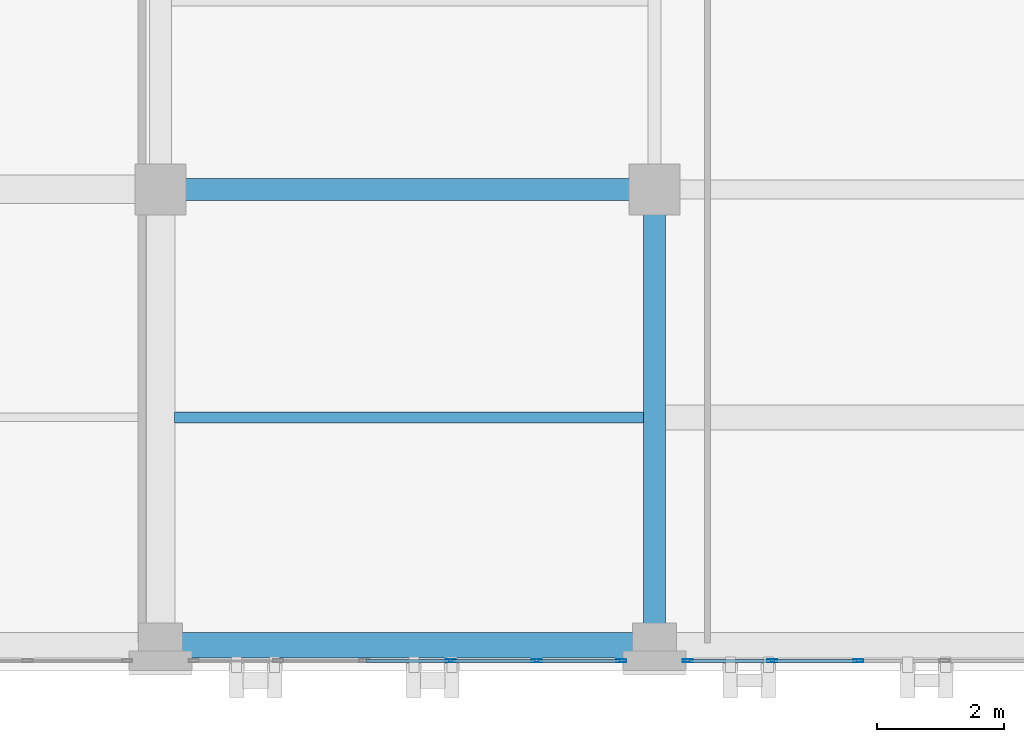
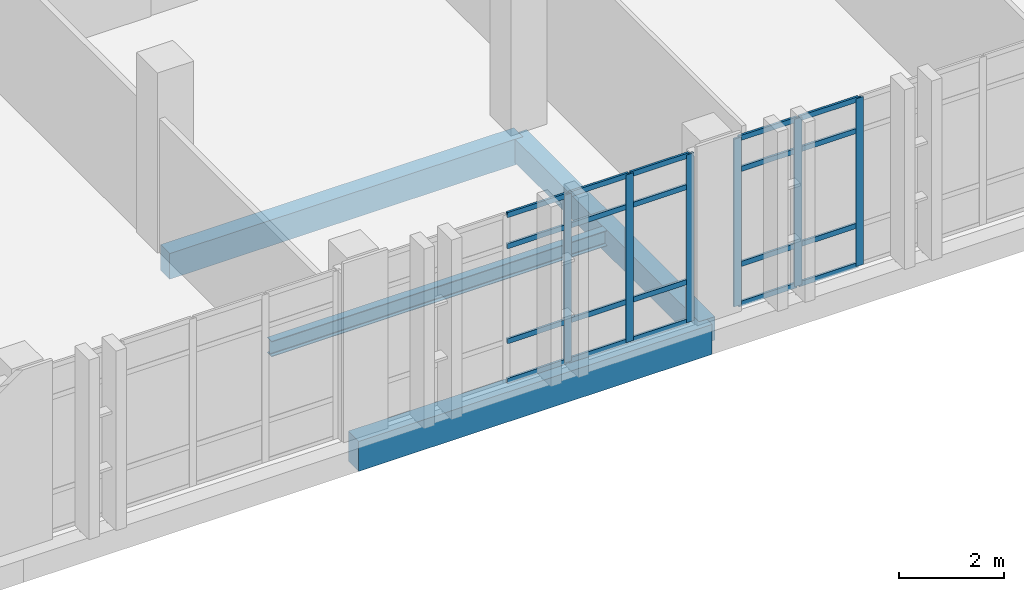
# One storey, part 116 of 193: 26 members, 4 beams, 2 elements without a shape of their own.
"""IFC4 building model written with IfcOpenShell, lengths in metres."""

from ifc_helpers import new_model, si_unit, direction, frame, origin, origin_2d, place, context, subcontext, project, spatial, rectangle, hollow_rectangle, i_section, extrude, material, layer, layer_set, material_profile, profile_set, type_object, element, aggregate, save


model = new_model("IFC4")

# Units and contexts
model_context = context("Model", 3, precision=1e-05, world=origin(), true_north=direction((0.0, 1.0)))
body_context = subcontext(model_context, "Body", "Model", "MODEL_VIEW")
ifc_project = project(units=[si_unit("LENGTHUNIT", "METRE"), si_unit("AREAUNIT", "SQUARE_METRE"), si_unit("VOLUMEUNIT", "CUBIC_METRE"), si_unit("PLANEANGLEUNIT", "RADIAN"), si_unit("MASSUNIT", "GRAM", prefix="KILO")], contexts=[model_context])

# Site, building, storey
site_placement = place(None, origin())
site = spatial("IfcSite", under=ifc_project, at=site_placement, CompositionType="ELEMENT")
building_placement = place(site_placement, origin())
building = spatial("IfcBuilding", under=site, at=building_placement, Name="Qalavern Law Courts", CompositionType="ELEMENT")
storey_placement = place(building_placement, frame((0.0, 0.0, 10.199951171875)))
storey = spatial("IfcBuildingStorey", under=building, at=storey_placement, Name="L02", CompositionType="ELEMENT", Elevation=10.199951171875)

# Curtain wall, members
ifc_material_1 = material(Name="Anodised aluminium and insulated glazing", Category="aluminium")
ifc_layer = layer(ifc_material_1, 0.172119140625)
ifc_layer_set = layer_set([ifc_layer], Name="Anodised aluminium and insulated glazing")
curtain_wall_type = type_object("IfcCurtainWallType", Name="ENV-CW-COURT", PredefinedType="USERDEFINED", material=ifc_layer_set)
curtain_wall_1_placement = place(storey_placement, origin())
curtain_wall_1 = element("IfcCurtainWall", 1, at=curtain_wall_1_placement, inside=storey, type_object=curtain_wall_type, Name="V6 unitised curtain wall L02 south 4", ObjectType="UNITISED CURTAIN WALL", PredefinedType="USERDEFINED")
ifc_material_2 = material(Name="Anodised aluminium", Category="aluminium")
ifc_material_profile_1 = material_profile(ifc_material_2, hollow_rectangle(XDim=0.048095703125, YDim=0.159912109375, WallThickness=0.00390625, at=origin_2d()), Name="ALU MULLION 48x160")
ifc_profile_set_1 = profile_set([ifc_material_profile_1], Name="Anodised aluminium")
member_type_1 = type_object("IfcMemberType", Name="ENV-CWM-48x160", PredefinedType="MULLION", material=ifc_profile_set_1)
member_1_placement = place(storey_placement, frame((138.780029296875, 1.155029296875, 0.0), z_axis=(0.0, 0.0, 1.0), x_axis=(0.0, 1.0, 0.0)))
member_1 = element("IfcMember", 2, at=member_1_placement, type_object=member_type_1, Name="CW-03 mullion 4", PredefinedType="MULLION", context=body_context, shape_type="SweptSolid", body=[
    extrude(hollow_rectangle(XDim=0.048095703125, YDim=0.159912109375, WallThickness=0.00390625, at=origin_2d()), origin(), (0.0, 0.0, 1.0), 3.9150390625),
])
member_2_placement = place(storey_placement, frame((140.139892578125, 1.155029296875, 0.0), z_axis=(0.0, 0.0, 1.0), x_axis=(0.0, 1.0, 0.0)))
member_2 = element("IfcMember", 3, at=member_2_placement, type_object=member_type_1, Name="CW-03 mullion 5", PredefinedType="MULLION", context=body_context, shape_type="SweptSolid", body=[
    extrude(hollow_rectangle(XDim=0.048095703125, YDim=0.159912109375, WallThickness=0.00390625, at=origin_2d()), origin(), (0.0, 0.0, 1.0), 3.9150390625),
])
member_3_placement = place(storey_placement, frame((141.47607421875, 1.155029296875, 0.0), z_axis=(0.0, 0.0, 1.0), x_axis=(0.0, 1.0, 0.0)))
member_3 = element("IfcMember", 4, at=member_3_placement, type_object=member_type_1, Name="CW-03 mullion 6", PredefinedType="MULLION", context=body_context, shape_type="SweptSolid", body=[
    extrude(hollow_rectangle(XDim=0.048095703125, YDim=0.159912109375, WallThickness=0.00390625, at=origin_2d()), origin(), (0.0, 0.0, 1.0), 3.9150390625),
])

curtain_wall_2_placement = place(storey_placement, origin())
curtain_wall_2 = element("IfcCurtainWall", 5, at=curtain_wall_2_placement, inside=storey, type_object=curtain_wall_type, Name="V6 unitised curtain wall L02 south 5", ObjectType="UNITISED CURTAIN WALL", PredefinedType="USERDEFINED")
member_4_placement = place(storey_placement, frame((142.52392578125, 1.155029296875, 0.0), z_axis=(0.0, 0.0, 1.0), x_axis=(0.0, 1.0, 0.0)))
member_4 = element("IfcMember", 6, at=member_4_placement, type_object=member_type_1, Name="CW-03 mullion 1", PredefinedType="MULLION", context=body_context, shape_type="SweptSolid", body=[
    extrude(hollow_rectangle(XDim=0.048095703125, YDim=0.159912109375, WallThickness=0.00390625, at=origin_2d()), origin(), (0.0, 0.0, 1.0), 3.9150390625),
])
member_5_placement = place(storey_placement, frame((143.860107421875, 1.155029296875, 0.0), z_axis=(0.0, 0.0, 1.0), x_axis=(0.0, 1.0, 0.0)))
member_5 = element("IfcMember", 7, at=member_5_placement, type_object=member_type_1, Name="CW-03 mullion 2", PredefinedType="MULLION", context=body_context, shape_type="SweptSolid", body=[
    extrude(hollow_rectangle(XDim=0.048095703125, YDim=0.159912109375, WallThickness=0.00390625, at=origin_2d()), origin(), (0.0, 0.0, 1.0), 3.9150390625),
])
member_6_placement = place(storey_placement, frame((145.219970703125, 1.155029296875, 0.0), z_axis=(0.0, 0.0, 1.0), x_axis=(0.0, 1.0, 0.0)))
member_6 = element("IfcMember", 8, at=member_6_placement, type_object=member_type_1, Name="CW-03 mullion 3", PredefinedType="MULLION", context=body_context, shape_type="SweptSolid", body=[
    extrude(hollow_rectangle(XDim=0.048095703125, YDim=0.159912109375, WallThickness=0.00390625, at=origin_2d()), origin(), (0.0, 0.0, 1.0), 3.9150390625),
])

# Member
ifc_material_profile_2 = material_profile(ifc_material_2, hollow_rectangle(XDim=0.048095703125, YDim=0.1201171875, WallThickness=0.00390625, at=origin_2d()), Name="ALU TRANSOM 48x120")
ifc_profile_set_2 = profile_set([ifc_material_profile_2], Name="Anodised aluminium")
member_type_2 = type_object("IfcMemberType", Name="ENV-CWT-48x120", PredefinedType="USERDEFINED", material=ifc_profile_set_2)
member_7_placement = place(storey_placement, frame((137.444091796875, 1.155029296875, 0.024169921875), z_axis=(1.0, 0.0, 0.0), x_axis=(0.0, 1.0, 0.0)))
member_7 = element("IfcMember", 9, at=member_7_placement, type_object=member_type_2, Name="CW-03 transom 3.1", ObjectType="TRANSOM", PredefinedType="USERDEFINED", context=body_context, shape_type="SweptSolid", body=[
    extrude(hollow_rectangle(XDim=0.048095703125, YDim=0.1201171875, WallThickness=0.00390625, at=origin_2d()), origin(), (0.0, 0.0, 1.0), 1.31201171875),
])

member_8_placement = place(storey_placement, frame((137.444091796875, 1.155029296875, 0.949951171875), z_axis=(1.0, 0.0, 0.0), x_axis=(0.0, 1.0, 0.0)))
member_8 = element("IfcMember", 10, at=member_8_placement, type_object=member_type_2, Name="CW-03 transom 3.2", ObjectType="TRANSOM", PredefinedType="USERDEFINED", context=body_context, shape_type="SweptSolid", body=[
    extrude(hollow_rectangle(XDim=0.048095703125, YDim=0.1201171875, WallThickness=0.00390625, at=origin_2d()), origin(), (0.0, 0.0, 1.0), 1.31201171875),
])

member_9_placement = place(storey_placement, frame((137.444091796875, 1.155029296875, 3.1650390625), z_axis=(1.0, 0.0, 0.0), x_axis=(0.0, 1.0, 0.0)))
member_9 = element("IfcMember", 11, at=member_9_placement, type_object=member_type_2, Name="CW-03 transom 3.3", ObjectType="TRANSOM", PredefinedType="USERDEFINED", context=body_context, shape_type="SweptSolid", body=[
    extrude(hollow_rectangle(XDim=0.048095703125, YDim=0.1201171875, WallThickness=0.00390625, at=origin_2d()), origin(), (0.0, 0.0, 1.0), 1.31201171875),
])

member_10_placement = place(storey_placement, frame((137.444091796875, 1.155029296875, 3.89111328125), z_axis=(1.0, 0.0, 0.0), x_axis=(0.0, 1.0, 0.0)))
member_10 = element("IfcMember", 12, at=member_10_placement, type_object=member_type_2, Name="CW-03 transom 3.4", ObjectType="TRANSOM", PredefinedType="USERDEFINED", context=body_context, shape_type="SweptSolid", body=[
    extrude(hollow_rectangle(XDim=0.048095703125, YDim=0.1201171875, WallThickness=0.00390625, at=origin_2d()), origin(), (0.0, 0.0, 1.0), 1.31201171875),
])

member_11_placement = place(storey_placement, frame((138.803955078125, 1.155029296875, 0.024169921875), z_axis=(1.0, 0.0, 0.0), x_axis=(0.0, 1.0, 0.0)))
member_11 = element("IfcMember", 13, at=member_11_placement, type_object=member_type_2, Name="CW-03 transom 4.1", ObjectType="TRANSOM", PredefinedType="USERDEFINED", context=body_context, shape_type="SweptSolid", body=[
    extrude(hollow_rectangle(XDim=0.048095703125, YDim=0.1201171875, WallThickness=0.00390625, at=origin_2d()), origin(), (0.0, 0.0, 1.0), 1.31201171875),
])

member_12_placement = place(storey_placement, frame((138.803955078125, 1.155029296875, 0.949951171875), z_axis=(1.0, 0.0, 0.0), x_axis=(0.0, 1.0, 0.0)))
member_12 = element("IfcMember", 14, at=member_12_placement, type_object=member_type_2, Name="CW-03 transom 4.2", ObjectType="TRANSOM", PredefinedType="USERDEFINED", context=body_context, shape_type="SweptSolid", body=[
    extrude(hollow_rectangle(XDim=0.048095703125, YDim=0.1201171875, WallThickness=0.00390625, at=origin_2d()), origin(), (0.0, 0.0, 1.0), 1.31201171875),
])

member_13_placement = place(storey_placement, frame((138.803955078125, 1.155029296875, 3.1650390625), z_axis=(1.0, 0.0, 0.0), x_axis=(0.0, 1.0, 0.0)))
member_13 = element("IfcMember", 15, at=member_13_placement, type_object=member_type_2, Name="CW-03 transom 4.3", ObjectType="TRANSOM", PredefinedType="USERDEFINED", context=body_context, shape_type="SweptSolid", body=[
    extrude(hollow_rectangle(XDim=0.048095703125, YDim=0.1201171875, WallThickness=0.00390625, at=origin_2d()), origin(), (0.0, 0.0, 1.0), 1.31201171875),
])

member_14_placement = place(storey_placement, frame((138.803955078125, 1.155029296875, 3.89111328125), z_axis=(1.0, 0.0, 0.0), x_axis=(0.0, 1.0, 0.0)))
member_14 = element("IfcMember", 16, at=member_14_placement, type_object=member_type_2, Name="CW-03 transom 4.4", ObjectType="TRANSOM", PredefinedType="USERDEFINED", context=body_context, shape_type="SweptSolid", body=[
    extrude(hollow_rectangle(XDim=0.048095703125, YDim=0.1201171875, WallThickness=0.00390625, at=origin_2d()), origin(), (0.0, 0.0, 1.0), 1.31201171875),
])

member_15_placement = place(storey_placement, frame((140.1640625, 1.155029296875, 0.024169921875), z_axis=(1.0, 0.0, 0.0), x_axis=(0.0, 1.0, 0.0)))
member_15 = element("IfcMember", 17, at=member_15_placement, type_object=member_type_2, Name="CW-03 transom 5.1", ObjectType="TRANSOM", PredefinedType="USERDEFINED", context=body_context, shape_type="SweptSolid", body=[
    extrude(hollow_rectangle(XDim=0.048095703125, YDim=0.1201171875, WallThickness=0.00390625, at=origin_2d()), origin(), (0.0, 0.0, 1.0), 1.287841796875),
])

member_16_placement = place(storey_placement, frame((140.1640625, 1.155029296875, 0.949951171875), z_axis=(1.0, 0.0, 0.0), x_axis=(0.0, 1.0, 0.0)))
member_16 = element("IfcMember", 18, at=member_16_placement, type_object=member_type_2, Name="CW-03 transom 5.2", ObjectType="TRANSOM", PredefinedType="USERDEFINED", context=body_context, shape_type="SweptSolid", body=[
    extrude(hollow_rectangle(XDim=0.048095703125, YDim=0.1201171875, WallThickness=0.00390625, at=origin_2d()), origin(), (0.0, 0.0, 1.0), 1.287841796875),
])

member_17_placement = place(storey_placement, frame((140.1640625, 1.155029296875, 3.1650390625), z_axis=(1.0, 0.0, 0.0), x_axis=(0.0, 1.0, 0.0)))
member_17 = element("IfcMember", 19, at=member_17_placement, type_object=member_type_2, Name="CW-03 transom 5.3", ObjectType="TRANSOM", PredefinedType="USERDEFINED", context=body_context, shape_type="SweptSolid", body=[
    extrude(hollow_rectangle(XDim=0.048095703125, YDim=0.1201171875, WallThickness=0.00390625, at=origin_2d()), origin(), (0.0, 0.0, 1.0), 1.287841796875),
])

member_18_placement = place(storey_placement, frame((140.1640625, 1.155029296875, 3.89111328125), z_axis=(1.0, 0.0, 0.0), x_axis=(0.0, 1.0, 0.0)))
member_18 = element("IfcMember", 20, at=member_18_placement, type_object=member_type_2, Name="CW-03 transom 5.4", ObjectType="TRANSOM", PredefinedType="USERDEFINED", context=body_context, shape_type="SweptSolid", body=[
    extrude(hollow_rectangle(XDim=0.048095703125, YDim=0.1201171875, WallThickness=0.00390625, at=origin_2d()), origin(), (0.0, 0.0, 1.0), 1.287841796875),
])

aggregate(curtain_wall_1, [member_1, member_2, member_3, member_7, member_8, member_9, member_10, member_11, member_12, member_13, member_14, member_15, member_16, member_17, member_18])

member_19_placement = place(storey_placement, frame((142.548095703125, 1.155029296875, 0.024169921875), z_axis=(1.0, 0.0, 0.0), x_axis=(0.0, 1.0, 0.0)))
member_19 = element("IfcMember", 21, at=member_19_placement, type_object=member_type_2, Name="CW-03 transom 1.1", ObjectType="TRANSOM", PredefinedType="USERDEFINED", context=body_context, shape_type="SweptSolid", body=[
    extrude(hollow_rectangle(XDim=0.048095703125, YDim=0.1201171875, WallThickness=0.00390625, at=origin_2d()), origin(), (0.0, 0.0, 1.0), 1.287841796875),
])

member_20_placement = place(storey_placement, frame((142.548095703125, 1.155029296875, 0.949951171875), z_axis=(1.0, 0.0, 0.0), x_axis=(0.0, 1.0, 0.0)))
member_20 = element("IfcMember", 22, at=member_20_placement, type_object=member_type_2, Name="CW-03 transom 1.2", ObjectType="TRANSOM", PredefinedType="USERDEFINED", context=body_context, shape_type="SweptSolid", body=[
    extrude(hollow_rectangle(XDim=0.048095703125, YDim=0.1201171875, WallThickness=0.00390625, at=origin_2d()), origin(), (0.0, 0.0, 1.0), 1.287841796875),
])

member_21_placement = place(storey_placement, frame((142.548095703125, 1.155029296875, 3.1650390625), z_axis=(1.0, 0.0, 0.0), x_axis=(0.0, 1.0, 0.0)))
member_21 = element("IfcMember", 23, at=member_21_placement, type_object=member_type_2, Name="CW-03 transom 1.3", ObjectType="TRANSOM", PredefinedType="USERDEFINED", context=body_context, shape_type="SweptSolid", body=[
    extrude(hollow_rectangle(XDim=0.048095703125, YDim=0.1201171875, WallThickness=0.00390625, at=origin_2d()), origin(), (0.0, 0.0, 1.0), 1.287841796875),
])

member_22_placement = place(storey_placement, frame((142.548095703125, 1.155029296875, 3.89111328125), z_axis=(1.0, 0.0, 0.0), x_axis=(0.0, 1.0, 0.0)))
member_22 = element("IfcMember", 24, at=member_22_placement, type_object=member_type_2, Name="CW-03 transom 1.4", ObjectType="TRANSOM", PredefinedType="USERDEFINED", context=body_context, shape_type="SweptSolid", body=[
    extrude(hollow_rectangle(XDim=0.048095703125, YDim=0.1201171875, WallThickness=0.00390625, at=origin_2d()), origin(), (0.0, 0.0, 1.0), 1.287841796875),
])

member_23_placement = place(storey_placement, frame((143.884033203125, 1.155029296875, 0.024169921875), z_axis=(1.0, 0.0, 0.0), x_axis=(0.0, 1.0, 0.0)))
member_23 = element("IfcMember", 25, at=member_23_placement, type_object=member_type_2, Name="CW-03 transom 2.1", ObjectType="TRANSOM", PredefinedType="USERDEFINED", context=body_context, shape_type="SweptSolid", body=[
    extrude(hollow_rectangle(XDim=0.048095703125, YDim=0.1201171875, WallThickness=0.00390625, at=origin_2d()), origin(), (0.0, 0.0, 1.0), 1.31201171875),
])

member_24_placement = place(storey_placement, frame((143.884033203125, 1.155029296875, 0.949951171875), z_axis=(1.0, 0.0, 0.0), x_axis=(0.0, 1.0, 0.0)))
member_24 = element("IfcMember", 26, at=member_24_placement, type_object=member_type_2, Name="CW-03 transom 2.2", ObjectType="TRANSOM", PredefinedType="USERDEFINED", context=body_context, shape_type="SweptSolid", body=[
    extrude(hollow_rectangle(XDim=0.048095703125, YDim=0.1201171875, WallThickness=0.00390625, at=origin_2d()), origin(), (0.0, 0.0, 1.0), 1.31201171875),
])

member_25_placement = place(storey_placement, frame((143.884033203125, 1.155029296875, 3.1650390625), z_axis=(1.0, 0.0, 0.0), x_axis=(0.0, 1.0, 0.0)))
member_25 = element("IfcMember", 27, at=member_25_placement, type_object=member_type_2, Name="CW-03 transom 2.3", ObjectType="TRANSOM", PredefinedType="USERDEFINED", context=body_context, shape_type="SweptSolid", body=[
    extrude(hollow_rectangle(XDim=0.048095703125, YDim=0.1201171875, WallThickness=0.00390625, at=origin_2d()), origin(), (0.0, 0.0, 1.0), 1.31201171875),
])

member_26_placement = place(storey_placement, frame((143.884033203125, 1.155029296875, 3.89111328125), z_axis=(1.0, 0.0, 0.0), x_axis=(0.0, 1.0, 0.0)))
member_26 = element("IfcMember", 28, at=member_26_placement, type_object=member_type_2, Name="CW-03 transom 2.4", ObjectType="TRANSOM", PredefinedType="USERDEFINED", context=body_context, shape_type="SweptSolid", body=[
    extrude(hollow_rectangle(XDim=0.048095703125, YDim=0.1201171875, WallThickness=0.00390625, at=origin_2d()), origin(), (0.0, 0.0, 1.0), 1.31201171875),
])

aggregate(curtain_wall_2, [member_4, member_5, member_6, member_19, member_20, member_21, member_22, member_23, member_24, member_25, member_26])

# Beams
ifc_material_3 = material(Name="Concrete C35/45", Category="concrete")
ifc_material_profile_3 = material_profile(ifc_material_3, rectangle(XDim=0.35009765625, YDim=0.550048828125, at=origin_2d()), Name="RC 350x550")
ifc_profile_set_3 = profile_set([ifc_material_profile_3], Name="Concrete C35/45")
beam_type_1 = type_object("IfcBeamType", Name="STR-BM-RC350x550", PredefinedType="BEAM", material=ifc_profile_set_3)
beam_1_placement = place(storey_placement, frame((142.0, 1.39990234375, -0.56494140625), z_axis=(0.0, 1.0, 0.0), x_axis=(-1.0, 0.0, 0.0)))
element("IfcBeam", 29, at=beam_1_placement, inside=storey, type_object=beam_type_1, Name="V6 Y-beam 6-1 L02", PredefinedType="BEAM", context=body_context, shape_type="SweptSolid", body=[
    extrude(rectangle(XDim=0.35009765625, YDim=0.550048828125, at=origin_2d()), origin(), (0.0, 0.0, 1.0), 7.2001953125),
])
ifc_material_profile_4 = material_profile(ifc_material_3, rectangle(XDim=0.35009765625, YDim=0.60009765625, at=origin_2d()), Name="RC 350x600")
ifc_profile_set_4 = profile_set([ifc_material_profile_4], Name="Concrete C35/45")
beam_type_2 = type_object("IfcBeamType", Name="STR-BM-RC350x600", PredefinedType="BEAM", material=ifc_profile_set_4)
beam_2_placement = place(storey_placement, frame((134.199951171875, 8.60009765625, -0.58984375), z_axis=(1.0, 0.0, 0.0), x_axis=(0.0, 1.0, 0.0)))
element("IfcBeam", 30, at=beam_2_placement, inside=storey, type_object=beam_type_2, Name="V6 X-beam 2-5 L02", PredefinedType="BEAM", context=body_context, shape_type="SweptSolid", body=[
    extrude(rectangle(XDim=0.35009765625, YDim=0.60009765625, at=origin_2d()), origin(), (0.0, 0.0, 1.0), 7.800048828125),
])
ifc_material_4 = material(Name="Steel S355", Category="steel")
ifc_material_profile_5 = material_profile(ifc_material_4, i_section(OverallWidth=0.169921875, OverallDepth=0.360107421875, WebThickness=0.008056640625, FlangeThickness=0.0126953125, FilletRadius=0.01806640625, at=origin_2d()), Name="IPE 360")
ifc_profile_set_5 = profile_set([ifc_material_profile_5], Name="Steel S355")
beam_type_3 = type_object("IfcBeamType", Name="STR-JST-IPE360", PredefinedType="JOIST", material=ifc_profile_set_5)
beam_3_placement = place(storey_placement, frame((134.423095703125, 5.0, -0.469970703125), z_axis=(1.0, 0.0, 0.0), x_axis=(0.0, 1.0, 0.0)))
element("IfcBeam", 31, at=beam_3_placement, inside=storey, type_object=beam_type_3, Name="V6 secondary joist 5.1.1 L02", PredefinedType="JOIST", context=body_context, shape_type="SweptSolid", body=[
    extrude(i_section(OverallWidth=0.169921875, OverallDepth=0.360107421875, WebThickness=0.008056640625, FlangeThickness=0.0126953125, FilletRadius=0.01806640625, at=origin_2d()), origin(), (0.0, 0.0, 1.0), 7.40380859375),
])
ifc_material_5 = material(Name="Concrete C40/50", Category="concrete")
ifc_material_profile_6 = material_profile(ifc_material_5, rectangle(XDim=0.39990234375, YDim=0.699951171875, at=origin_2d()), Name="RC 400x700")
ifc_profile_set_6 = profile_set([ifc_material_profile_6], Name="Concrete C40/50")
beam_type_4 = type_object("IfcBeamType", Name="STR-SP-RC400x700", PredefinedType="SPANDREL", material=ifc_profile_set_6)
beam_4_placement = place(storey_placement, frame((134.199951171875, 1.39990234375, -0.639892578125), z_axis=(1.0, 0.0, 0.0), x_axis=(0.0, 1.0, 0.0)))
element("IfcBeam", 32, at=beam_4_placement, inside=storey, type_object=beam_type_4, Name="V6 X-beam 1-5 L02", PredefinedType="SPANDREL", context=body_context, shape_type="SweptSolid", body=[
    extrude(rectangle(XDim=0.39990234375, YDim=0.699951171875, at=origin_2d()), origin(), (0.0, 0.0, 1.0), 7.800048828125),
])

save(model, "model.ifc")
